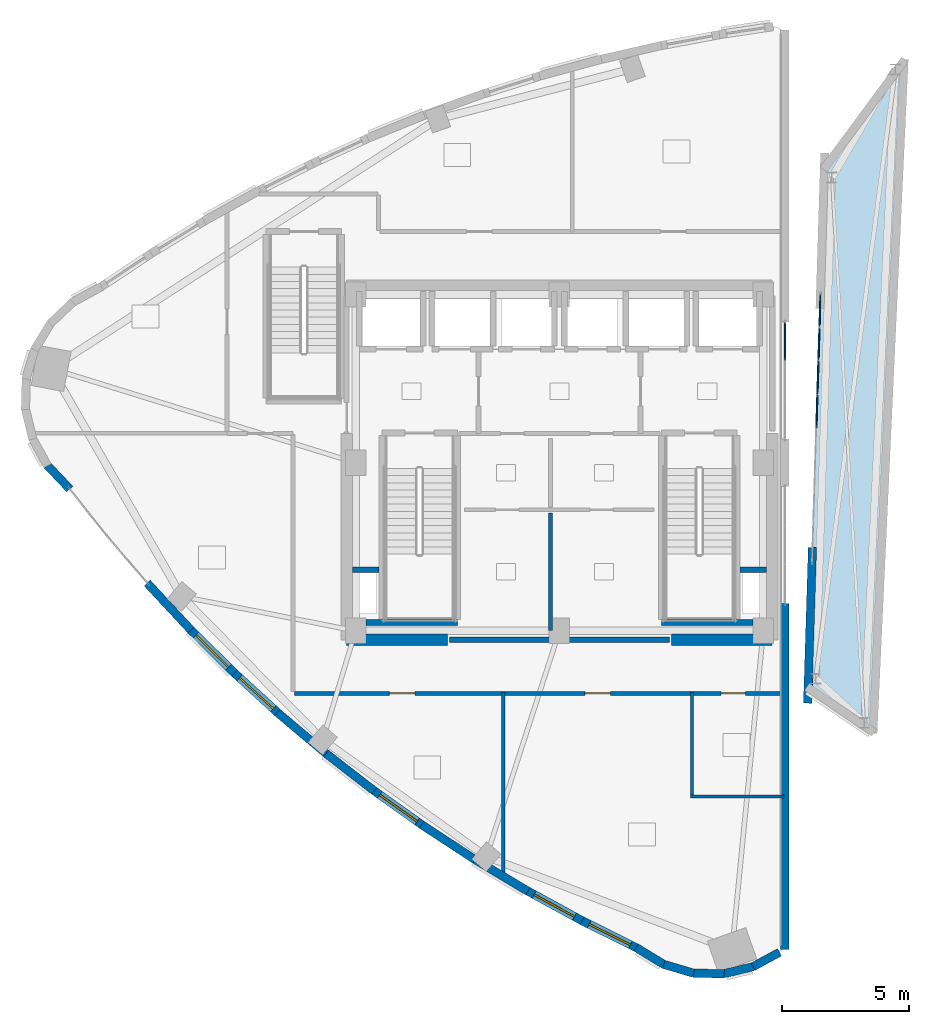
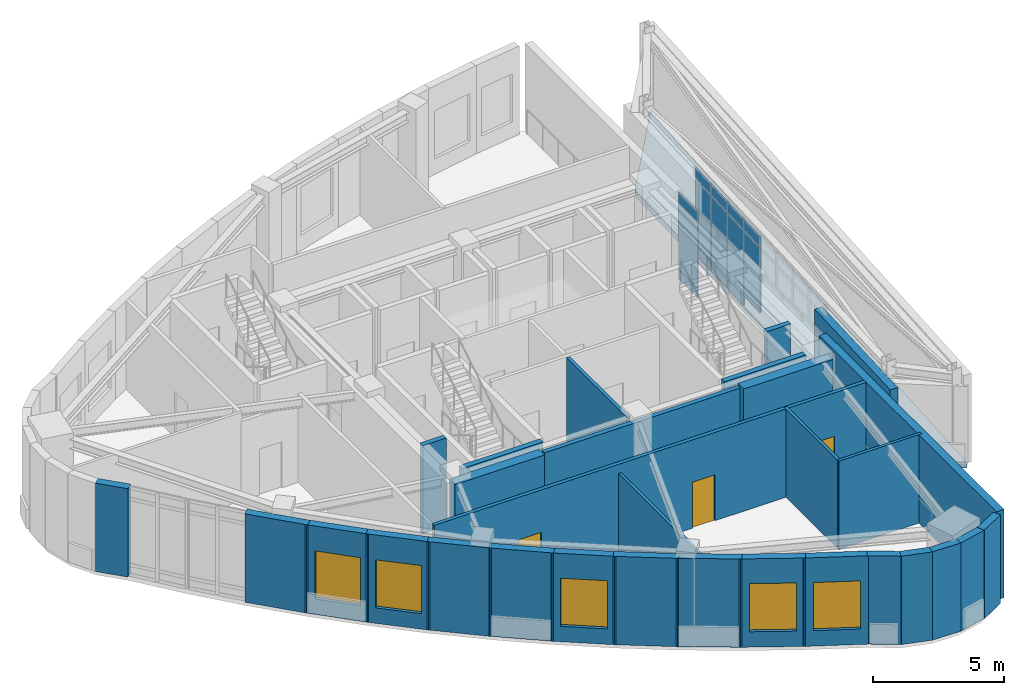
# One storey, part 13 of 19: 30 walls, 14 plates, 5 windows, 3 doors, 1 slab, 8 openings, 2 elements without a shape of their own.
"""IFC4 building model written with IfcOpenShell, lengths in metres."""

from ifc_helpers import new_model, si_unit, direction, frame, frame_2d, origin, origin_2d, place, context, subcontext, project, spatial, polyline, rectangle, outline, extrude, material, layer, layer_set, type_object, element, fill, aggregate, save


model = new_model("IFC4")

# Units and contexts
model_context = context("Model", 3, precision=1e-05, world=origin(), true_north=direction((0.0, 1.0)))
body_context = subcontext(model_context, "Body", "Model", "MODEL_VIEW")
ifc_project = project(units=[si_unit("LENGTHUNIT", "METRE"), si_unit("AREAUNIT", "SQUARE_METRE"), si_unit("VOLUMEUNIT", "CUBIC_METRE"), si_unit("PLANEANGLEUNIT", "RADIAN"), si_unit("MASSUNIT", "GRAM", prefix="KILO")], contexts=[model_context])

# Site, building, storey
site_placement = place(None, origin())
site = spatial("IfcSite", under=ifc_project, at=site_placement, CompositionType="ELEMENT")
building_placement = place(site_placement, origin())
building = spatial("IfcBuilding", under=site, at=building_placement, Name="Ndelora Gate Hotel", CompositionType="ELEMENT")
storey_placement = place(building_placement, frame((0.0, 0.0, 286.0)))
storey = spatial("IfcBuildingStorey", under=building, at=storey_placement, Name="L71", CompositionType="ELEMENT", Elevation=286.0)

# Curtain wall, plates
ifc_material_1 = material(Name="Bronze Anodised Unitised Aluminium and Low-E Glass", Category="aluminium")
ifc_layer_1 = layer(ifc_material_1, 0.199951171875)
ifc_layer_set_1 = layer_set([ifc_layer_1], Name="Bronze Anodised Unitised Aluminium and Low-E Glass")
curtain_wall_type = type_object("IfcCurtainWallType", Name="CW-SYS-8", PredefinedType="NOTDEFINED", material=ifc_layer_set_1)
curtain_wall_1_placement = place(storey_placement, origin())
curtain_wall_1 = element("IfcCurtainWall", 1, at=curtain_wall_1_placement, inside=storey, type_object=curtain_wall_type, Name="L71 Split-Crown West Cleft Lantern Curtain Wall CW8-2", PredefinedType="NOTDEFINED")
ifc_material_2 = material(Name="Solar-Control Low-E Insulated Glazing", Category="glass")
ifc_layer_2 = layer(ifc_material_2, 0.048095703125)
ifc_layer_set_2 = layer_set([ifc_layer_2], Name="Solar-Control Low-E Insulated Glazing")
plate_type = type_object("IfcPlateType", Name="PL-CW-GLZ36", PredefinedType="CURTAIN_PANEL", material=ifc_layer_set_2)
plate_1_placement = place(storey_placement, frame((8.85009765625, 4.760009765625, 0.0537109375), z_axis=(0.0, 0.0, 1.0), x_axis=(0.0, 1.0, 0.0)))
plate_1 = element("IfcPlate", 2, at=plate_1_placement, type_object=plate_type, Name="CW8 panel 3.1", PredefinedType="CURTAIN_PANEL", context=body_context, shape_type="SweptSolid", body=[
    extrude(rectangle(XDim=1.471923828125, YDim=0.048095703125, at=origin_2d()), origin(), (0.0, 0.0, 1.0), 0.422119140625),
])
plate_2_placement = place(storey_placement, frame((8.85009765625, 4.760009765625, 0.52392578125), z_axis=(0.0, 0.0, 1.0), x_axis=(0.0, 1.0, 0.0)))
plate_2 = element("IfcPlate", 3, at=plate_2_placement, type_object=plate_type, Name="CW8 panel 3.2", PredefinedType="CURTAIN_PANEL", context=body_context, shape_type="SweptSolid", body=[
    extrude(rectangle(XDim=1.471923828125, YDim=0.048095703125, at=origin_2d()), origin(), (0.0, 0.0, 1.0), 3.031982421875),
])
plate_3_placement = place(storey_placement, frame((8.85009765625, 4.760009765625, 3.60400390625), z_axis=(0.0, 0.0, 1.0), x_axis=(0.0, 1.0, 0.0)))
plate_3 = element("IfcPlate", 4, at=plate_3_placement, type_object=plate_type, Name="CW8 panel 3.3", PredefinedType="CURTAIN_PANEL", context=body_context, shape_type="SweptSolid", body=[
    extrude(rectangle(XDim=1.471923828125, YDim=0.048095703125, at=origin_2d()), origin(), (0.0, 0.0, 1.0), 0.471923828125),
])
aggregate(curtain_wall_1, [plate_1, plate_2, plate_3])

curtain_wall_2_placement = place(storey_placement, origin())
curtain_wall_2 = element("IfcCurtainWall", 5, at=curtain_wall_2_placement, inside=storey, type_object=curtain_wall_type, Name="L71 Split-Crown East Cleft Lantern Curtain Wall CW8", PredefinedType="NOTDEFINED")
plate_4_placement = place(storey_placement, frame((10.21875, 5.97509765625, 0.0537109375), z_axis=(0.0, 0.0, 1.0), x_axis=(-0.031131345484, -0.999515302198, 0.0)))
plate_4 = element("IfcPlate", 6, at=plate_4_placement, type_object=plate_type, Name="CW8 panel 1.1", PredefinedType="CURTAIN_PANEL", context=body_context, shape_type="SweptSolid", body=[
    extrude(rectangle(XDim=1.24658203125, YDim=0.048095703125, at=origin_2d()), origin(), (0.0, 0.0, 1.0), 0.422119140625),
])
plate_5_placement = place(storey_placement, frame((10.21875, 5.97509765625, 0.52392578125), z_axis=(0.0, 0.0, 1.0), x_axis=(-0.031131345484, -0.999515302198, 0.0)))
plate_5 = element("IfcPlate", 7, at=plate_5_placement, type_object=plate_type, Name="CW8 panel 1.2", PredefinedType="CURTAIN_PANEL", context=body_context, shape_type="SweptSolid", body=[
    extrude(rectangle(XDim=1.24658203125, YDim=0.048095703125, at=origin_2d()), origin(), (0.0, 0.0, 1.0), 3.031982421875),
])
plate_6_placement = place(storey_placement, frame((10.21875, 5.97509765625, 3.60400390625), z_axis=(0.0, 0.0, 1.0), x_axis=(-0.031131345484, -0.999515302198, 0.0)))
plate_6 = element("IfcPlate", 8, at=plate_6_placement, type_object=plate_type, Name="CW8 panel 1.3", PredefinedType="CURTAIN_PANEL", context=body_context, shape_type="SweptSolid", body=[
    extrude(rectangle(XDim=1.24658203125, YDim=0.048095703125, at=origin_2d()), origin(), (0.0, 0.0, 1.0), 0.471923828125),
])
plate_7_placement = place(storey_placement, frame((10.177978515625, 4.666259765625, 0.0537109375), z_axis=(0.0, 0.0, 1.0), x_axis=(-0.031131345484, -0.999515302198, 0.0)))
plate_7 = element("IfcPlate", 9, at=plate_7_placement, type_object=plate_type, Name="CW8 panel 2.1", PredefinedType="CURTAIN_PANEL", context=body_context, shape_type="SweptSolid", body=[
    extrude(rectangle(XDim=1.276611328125, YDim=0.048095703125, at=origin_2d()), origin(), (0.0, 0.0, 1.0), 0.422119140625),
])
plate_8_placement = place(storey_placement, frame((10.177978515625, 4.666259765625, 0.52392578125), z_axis=(0.0, 0.0, 1.0), x_axis=(-0.031131345484, -0.999515302198, 0.0)))
plate_8 = element("IfcPlate", 10, at=plate_8_placement, type_object=plate_type, Name="CW8 panel 2.2", PredefinedType="CURTAIN_PANEL", context=body_context, shape_type="SweptSolid", body=[
    extrude(rectangle(XDim=1.276611328125, YDim=0.048095703125, at=origin_2d()), origin(), (0.0, 0.0, 1.0), 3.031982421875),
])
plate_9_placement = place(storey_placement, frame((10.177978515625, 4.666259765625, 3.60400390625), z_axis=(0.0, 0.0, 1.0), x_axis=(-0.031131345484, -0.999515302198, 0.0)))
plate_9 = element("IfcPlate", 11, at=plate_9_placement, type_object=plate_type, Name="CW8 panel 2.3", PredefinedType="CURTAIN_PANEL", context=body_context, shape_type="SweptSolid", body=[
    extrude(rectangle(XDim=1.276611328125, YDim=0.048095703125, at=origin_2d()), origin(), (0.0, 0.0, 1.0), 0.471923828125),
])
plate_10_placement = place(storey_placement, frame((10.13671875, 3.34228515625, 0.0537109375), z_axis=(0.0, 0.0, 1.0), x_axis=(-0.031131345484, -0.999515302198, 0.0)))
plate_10 = element("IfcPlate", 12, at=plate_10_placement, type_object=plate_type, Name="CW8 panel 3.1", PredefinedType="CURTAIN_PANEL", context=body_context, shape_type="SweptSolid", body=[
    extrude(rectangle(XDim=1.276611328125, YDim=0.048095703125, at=origin_2d()), origin(), (0.0, 0.0, 1.0), 0.422119140625),
])
plate_11_placement = place(storey_placement, frame((10.13671875, 3.34228515625, 0.52392578125), z_axis=(0.0, 0.0, 1.0), x_axis=(-0.031131345484, -0.999515302198, 0.0)))
plate_11 = element("IfcPlate", 13, at=plate_11_placement, type_object=plate_type, Name="CW8 panel 3.2", PredefinedType="CURTAIN_PANEL", context=body_context, shape_type="SweptSolid", body=[
    extrude(rectangle(XDim=1.276611328125, YDim=0.048095703125, at=origin_2d()), origin(), (0.0, 0.0, 1.0), 3.031982421875),
])
plate_12_placement = place(storey_placement, frame((10.13671875, 3.34228515625, 3.60400390625), z_axis=(0.0, 0.0, 1.0), x_axis=(-0.031131345484, -0.999515302198, 0.0)))
plate_12 = element("IfcPlate", 14, at=plate_12_placement, type_object=plate_type, Name="CW8 panel 3.3", PredefinedType="CURTAIN_PANEL", context=body_context, shape_type="SweptSolid", body=[
    extrude(rectangle(XDim=1.276611328125, YDim=0.048095703125, at=origin_2d()), origin(), (0.0, 0.0, 1.0), 0.471923828125),
])
plate_13_placement = place(storey_placement, frame((10.095458984375, 2.018310546875, 0.52392578125), z_axis=(0.0, 0.0, 1.0), x_axis=(-0.031131345484, -0.999515302198, 0.0)))
plate_13 = element("IfcPlate", 15, at=plate_13_placement, type_object=plate_type, Name="CW8 panel 4.2", PredefinedType="CURTAIN_PANEL", context=body_context, shape_type="SweptSolid", body=[
    extrude(rectangle(XDim=1.276611328125, YDim=0.048095703125, at=origin_2d()), origin(), (0.0, 0.0, 1.0), 3.031982421875),
])
plate_14_placement = place(storey_placement, frame((10.095458984375, 2.018310546875, 3.60400390625), z_axis=(0.0, 0.0, 1.0), x_axis=(-0.031131345484, -0.999515302198, 0.0)))
plate_14 = element("IfcPlate", 16, at=plate_14_placement, type_object=plate_type, Name="CW8 panel 4.3", PredefinedType="CURTAIN_PANEL", context=body_context, shape_type="SweptSolid", body=[
    extrude(rectangle(XDim=1.276611328125, YDim=0.048095703125, at=origin_2d()), origin(), (0.0, 0.0, 1.0), 0.471923828125),
])
aggregate(curtain_wall_2, [plate_4, plate_5, plate_6, plate_7, plate_8, plate_9, plate_10, plate_11, plate_12, plate_13, plate_14])

# Slab
ifc_material_3 = material(Name="Concrete C40/50", Category="concrete")
ifc_layer_3 = layer(ifc_material_3, 0.280029296875)
ifc_layer_set_3 = layer_set([ifc_layer_3], Name="Concrete C40/50")
slab_type = type_object("IfcSlabType", Name="SL-ROOF-280", PredefinedType="ROOF", material=ifc_layer_set_3)
slab_placement = place(storey_placement, frame((0.0, 0.0, -0.280029296875)))
element("IfcSlab", 17, at=slab_placement, inside=storey, type_object=slab_type, Name="L71 East Crown Peak Deck", PredefinedType="ROOF", context=body_context, shape_type="SweptSolid", body=[
    extrude(outline(polyline([(9.757568359375, -8.828369140625), (12.306884765625, -10.562255859375), (13.527099609375, 15.7783203125), (10.39208984375, 11.540771484375), (9.757568359375, -8.828369140625)])), origin(), (0.0, 0.0, 1.0), 0.280029296875),
])

# Walls
ifc_material_4 = material(Name="Clay Brick Masonry", Category="masonry")
ifc_layer_4 = layer(ifc_material_4, 0.330078125)
ifc_layer_set_4 = layer_set([ifc_layer_4], Name="Clay Brick Masonry")
wall_type_1 = type_object("IfcWallType", Name="WL-BRICK-330", PredefinedType="SOLIDWALL", material=ifc_layer_set_4)
wall_1_placement = place(storey_placement, frame((8.85009765625, -5.52001953125, 0.0), z_axis=(0.0, 0.0, 1.0), x_axis=(0.0, -1.0, 0.0)))
element("IfcWall", 18, at=wall_1_placement, inside=storey, type_object=wall_type_1, Name="L71 West Crown Canyon Brick Pier 1", PredefinedType="SOLIDWALL", context=body_context, shape_type="SweptSolid", body=[
    extrude(rectangle(XDim=13.590576171875, YDim=0.330078125, at=frame_2d((6.79541015625, 0.0))), origin(), (0.0, 0.0, 1.0), 4.1298828125),
])
wall_2_placement = place(storey_placement, frame((9.738525390625, -9.439453125, 0.0), z_axis=(0.0, 0.0, 1.0), x_axis=(0.031147484759, 0.999514799387, 0.0)))
element("IfcWall", 19, at=wall_2_placement, inside=storey, type_object=wall_type_1, Name="L71 East Crown Canyon Brick Pier 1", PredefinedType="SOLIDWALL", context=body_context, shape_type="SweptSolid", body=[
    extrude(rectangle(XDim=6.11376953125, YDim=0.330078125, at=frame_2d((3.056884765625, 0.0))), origin(), (0.0, 0.0, 1.0), 3.64990234375),
])
wall_3_placement = place(storey_placement, frame((-19.214599609375, -1.038818359375, 0.0), z_axis=(0.0, 0.0, 1.0), x_axis=(-0.687489239636, 0.726194564414, 0.0)))
element("IfcWall", 20, at=wall_3_placement, inside=storey, type_object=wall_type_1, Name="L71 Tower Brick Pier-and-Spandrel Wall WPK-15", PredefinedType="SOLIDWALL", context=body_context, shape_type="SweptSolid", body=[
    extrude(rectangle(XDim=1.29931640625, YDim=0.330078125, at=frame_2d((0.649658203125, 0.0))), origin(), (0.0, 0.0, 1.0), 4.1298828125),
])
wall_4_placement = place(storey_placement, frame((-14.4619140625, -6.572021484375, 0.0), z_axis=(0.0, 0.0, 1.0), x_axis=(-0.681100323402, 0.732190104728, 0.0)))
element("IfcWall", 21, at=wall_4_placement, inside=storey, type_object=wall_type_1, Name="L71 Tower Brick Pier-and-Spandrel Wall WPK-18", PredefinedType="SOLIDWALL", context=body_context, shape_type="SweptSolid", body=[
    extrude(rectangle(XDim=2.523193359375, YDim=0.330078125, at=frame_2d((1.26171875, 0.0))), origin(), (0.0, 0.0, 1.0), 4.1298828125),
])

# Wall, opening, window
wall_5_placement = place(storey_placement, frame((-12.755859375, -8.26171875, 0.0), z_axis=(0.0, 0.0, 1.0), x_axis=(-0.709823779942, 0.704379302243, 0.0)))
wall_5 = element("IfcWall", 22, at=wall_5_placement, inside=storey, type_object=wall_type_1, Name="L71 Tower Brick Pier-and-Spandrel Wall WPK-19", PredefinedType="SOLIDWALL", context=body_context, shape_type="SweptSolid", body=[
    extrude(rectangle(XDim=2.51123046875, YDim=0.330078125, at=frame_2d((1.255615234375, 0.0))), origin(), (0.0, 0.0, 1.0), 4.1298828125),
])
opening_1_placement = place(wall_5_placement, frame((0.32568359375, 0.0, 0.719970703125)))
opening_1 = element("IfcOpeningElement", 23, at=opening_1_placement, cuts=wall_5, Name="Opening W06", PredefinedType="OPENING", context=body_context, shape_type="SweptSolid", body=[
    extrude(rectangle(XDim=1.800048828125, YDim=2.25, at=frame_2d((0.89990234375, 1.125))), frame((0.0, 0.175048828125, 0.0), z_axis=(0.0, -1.0, 0.0), x_axis=(1.0, 0.0, 0.0)), (0.0, 0.0, 1.0), 0.35009765625),
])
ifc_material_5 = material(Name="Insulated Low-E Double Glazing in Bronze Aluminium Frame", Category="aluminium")
window_type = type_object("IfcWindowType", Name="WN-OBS-1800", PartitioningType="SINGLE_PANEL", PredefinedType="WINDOW", material=ifc_material_5)
window_1_placement = place(opening_1_placement, origin())
window_1 = element("IfcWindow", 24, at=window_1_placement, inside=storey, type_object=window_type, Name="L71 Deep-Set Brick-Pier Window W06", OverallHeight=2.25, OverallWidth=1.800048828125, PartitioningType="SINGLE_PANEL", PredefinedType="WINDOW", context=body_context, shape_type="SweptSolid", body=[
    extrude(rectangle(XDim=1.800048828125, YDim=2.25, at=frame_2d((0.89990234375, 1.125))), frame((0.0, 0.030029296875, 0.0), z_axis=(0.0, -1.0, 0.0), x_axis=(1.0, 0.0, 0.0)), (0.0, 0.0, 1.0), 0.06005859375),
])
fill(opening_1, window_1)

wall_6_placement = place(storey_placement, frame((-10.989013671875, -9.876220703125, 0.0), z_axis=(0.0, 0.0, 1.0), x_axis=(-0.737627628948, 0.675207731748, 0.0)))
wall_6 = element("IfcWall", 25, at=wall_6_placement, inside=storey, type_object=wall_type_1, Name="L71 Tower Brick Pier-and-Spandrel Wall WPK-20", PredefinedType="SOLIDWALL", context=body_context, shape_type="SweptSolid", body=[
    extrude(rectangle(XDim=2.503173828125, YDim=0.330078125, at=frame_2d((1.25146484375, 0.0))), origin(), (0.0, 0.0, 1.0), 4.1298828125),
])
opening_2_placement = place(wall_6_placement, frame((0.321533203125, 0.0, 0.719970703125)))
opening_2 = element("IfcOpeningElement", 26, at=opening_2_placement, cuts=wall_6, Name="Opening W06", PredefinedType="OPENING", context=body_context, shape_type="SweptSolid", body=[
    extrude(rectangle(XDim=1.800048828125, YDim=2.25, at=frame_2d((0.89990234375, 1.125))), frame((0.0, 0.175048828125, 0.0), z_axis=(0.0, -1.0, 0.0), x_axis=(1.0, 0.0, 0.0)), (0.0, 0.0, 1.0), 0.35009765625),
])
window_2_placement = place(opening_2_placement, origin())
window_2 = element("IfcWindow", 27, at=window_2_placement, inside=storey, type_object=window_type, Name="L71 Deep-Set Brick-Pier Window W06", OverallHeight=2.25, OverallWidth=1.800048828125, PartitioningType="SINGLE_PANEL", PredefinedType="WINDOW", context=body_context, shape_type="SweptSolid", body=[
    extrude(rectangle(XDim=1.800048828125, YDim=2.25, at=frame_2d((0.89990234375, 1.125))), frame((0.0, 0.030029296875, 0.0), z_axis=(0.0, -1.0, 0.0), x_axis=(1.0, 0.0, 0.0)), (0.0, 0.0, 1.0), 0.06005859375),
])
fill(opening_2, window_2)

# Walls
wall_7_placement = place(storey_placement, frame((-9.161376953125, -11.415283203125, 0.0), z_axis=(0.0, 0.0, 1.0), x_axis=(-0.764315556833, 0.644842406781, 0.0)))
element("IfcWall", 28, at=wall_7_placement, inside=storey, type_object=wall_type_1, Name="L71 Tower Brick Pier-and-Spandrel Wall WPK-21", PredefinedType="SOLIDWALL", context=body_context, shape_type="SweptSolid", body=[
    extrude(rectangle(XDim=2.499267578125, YDim=0.330078125, at=frame_2d((1.24951171875, 0.0))), origin(), (0.0, 0.0, 1.0), 4.1298828125),
])
wall_8_placement = place(storey_placement, frame((-7.27294921875, -12.87890625, 0.0), z_axis=(0.0, 0.0, 1.0), x_axis=(-0.789841179094, 0.613311431336, 0.0)))
element("IfcWall", 29, at=wall_8_placement, inside=storey, type_object=wall_type_1, Name="L71 Tower Brick Pier-and-Spandrel Wall WPK-22", PredefinedType="SOLIDWALL", context=body_context, shape_type="SweptSolid", body=[
    extrude(rectangle(XDim=2.4990234375, YDim=0.330078125, at=frame_2d((1.24951171875, 0.0))), origin(), (0.0, 0.0, 1.0), 4.1298828125),
])

# Wall, opening, window
wall_9_placement = place(storey_placement, frame((-5.323486328125, -14.26708984375, 0.0), z_axis=(0.0, 0.0, 1.0), x_axis=(-0.814029925436, 0.580822933857, 0.0)))
wall_9 = element("IfcWall", 30, at=wall_9_placement, inside=storey, type_object=wall_type_1, Name="L71 Tower Brick Pier-and-Spandrel Wall WPK-23", PredefinedType="SOLIDWALL", context=body_context, shape_type="SweptSolid", body=[
    extrude(rectangle(XDim=2.503173828125, YDim=0.330078125, at=frame_2d((1.25146484375, 0.0))), origin(), (0.0, 0.0, 1.0), 4.1298828125),
])
opening_3_placement = place(wall_9_placement, frame((0.321533203125, 0.0, 0.719970703125)))
opening_3 = element("IfcOpeningElement", 31, at=opening_3_placement, cuts=wall_9, Name="Opening W06", PredefinedType="OPENING", context=body_context, shape_type="SweptSolid", body=[
    extrude(rectangle(XDim=1.800048828125, YDim=2.25, at=frame_2d((0.89990234375, 1.125))), frame((0.0, 0.175048828125, 0.0), z_axis=(0.0, -1.0, 0.0), x_axis=(1.0, 0.0, 0.0)), (0.0, 0.0, 1.0), 0.35009765625),
])
window_3_placement = place(opening_3_placement, origin())
window_3 = element("IfcWindow", 32, at=window_3_placement, inside=storey, type_object=window_type, Name="L71 Deep-Set Brick-Pier Window W06", OverallHeight=2.25, OverallWidth=1.800048828125, PartitioningType="SINGLE_PANEL", PredefinedType="WINDOW", context=body_context, shape_type="SweptSolid", body=[
    extrude(rectangle(XDim=1.800048828125, YDim=2.25, at=frame_2d((0.89990234375, 1.125))), frame((0.0, 0.030029296875, 0.0), z_axis=(0.0, -1.0, 0.0), x_axis=(1.0, 0.0, 0.0)), (0.0, 0.0, 1.0), 0.06005859375),
])
fill(opening_3, window_3)

# Walls
wall_10_placement = place(storey_placement, frame((-3.313232421875, -15.580078125, 0.0), z_axis=(0.0, 0.0, 1.0), x_axis=(-0.836746876737, 0.547589868671, 0.0)))
element("IfcWall", 33, at=wall_10_placement, inside=storey, type_object=wall_type_1, Name="L71 Tower Brick Pier-and-Spandrel Wall WPK-24", PredefinedType="SOLIDWALL", context=body_context, shape_type="SweptSolid", body=[
    extrude(rectangle(XDim=2.510986328125, YDim=0.330078125, at=frame_2d((1.25537109375, 0.0))), origin(), (0.0, 0.0, 1.0), 4.1298828125),
])
wall_11_placement = place(storey_placement, frame((-1.241943359375, -16.818115234375, 0.0), z_axis=(0.0, 0.0, 1.0), x_axis=(-0.857902474262, 0.513812557899, 0.0)))
element("IfcWall", 34, at=wall_11_placement, inside=storey, type_object=wall_type_1, Name="L71 Tower Brick Pier-and-Spandrel Wall WPK-25", PredefinedType="SOLIDWALL", context=body_context, shape_type="SweptSolid", body=[
    extrude(rectangle(XDim=2.523193359375, YDim=0.330078125, at=frame_2d((1.26171875, 0.0))), origin(), (0.0, 0.0, 1.0), 4.1298828125),
])

# Wall, opening, window
wall_12_placement = place(storey_placement, frame((0.890380859375, -17.98046875, 0.0), z_axis=(0.0, 0.0, 1.0), x_axis=(-0.877542510611, 0.479498844702, 0.0)))
wall_12 = element("IfcWall", 35, at=wall_12_placement, inside=storey, type_object=wall_type_1, Name="L71 Tower Brick Pier-and-Spandrel Wall WPK-26", PredefinedType="SOLIDWALL", context=body_context, shape_type="SweptSolid", body=[
    extrude(rectangle(XDim=2.53857421875, YDim=0.330078125, at=frame_2d((1.269287109375, 0.0))), origin(), (0.0, 0.0, 1.0), 4.1298828125),
])
opening_4_placement = place(wall_12_placement, frame((0.33935546875, 0.0, 0.719970703125)))
opening_4 = element("IfcOpeningElement", 36, at=opening_4_placement, cuts=wall_12, Name="Opening W06", PredefinedType="OPENING", context=body_context, shape_type="SweptSolid", body=[
    extrude(rectangle(XDim=1.800048828125, YDim=2.25, at=frame_2d((0.89990234375, 1.125))), frame((0.0, 0.175048828125, 0.0), z_axis=(0.0, -1.0, 0.0), x_axis=(1.0, 0.0, 0.0)), (0.0, 0.0, 1.0), 0.35009765625),
])
window_4_placement = place(opening_4_placement, origin())
window_4 = element("IfcWindow", 37, at=window_4_placement, inside=storey, type_object=window_type, Name="L71 Deep-Set Brick-Pier Window W06", OverallHeight=2.25, OverallWidth=1.800048828125, PartitioningType="SINGLE_PANEL", PredefinedType="WINDOW", context=body_context, shape_type="SweptSolid", body=[
    extrude(rectangle(XDim=1.800048828125, YDim=2.25, at=frame_2d((0.89990234375, 1.125))), frame((0.0, 0.030029296875, 0.0), z_axis=(0.0, -1.0, 0.0), x_axis=(1.0, 0.0, 0.0)), (0.0, 0.0, 1.0), 0.06005859375),
])
fill(opening_4, window_4)

wall_13_placement = place(storey_placement, frame((3.100830078125, -19.078125, 0.0), z_axis=(0.0, 0.0, 1.0), x_axis=(-0.895277941462, 0.445508033073, 0.0)))
wall_13 = element("IfcWall", 38, at=wall_13_placement, inside=storey, type_object=wall_type_1, Name="L71 Tower Brick Pier-and-Spandrel Wall WPK-27", PredefinedType="SOLIDWALL", context=body_context, shape_type="SweptSolid", body=[
    extrude(rectangle(XDim=2.577880859375, YDim=0.330078125, at=frame_2d((1.2890625, 0.0))), origin(), (0.0, 0.0, 1.0), 4.1298828125),
])
opening_5_placement = place(wall_13_placement, frame((0.35888671875, 0.0, 0.719970703125)))
opening_5 = element("IfcOpeningElement", 39, at=opening_5_placement, cuts=wall_13, Name="Opening W06", PredefinedType="OPENING", context=body_context, shape_type="SweptSolid", body=[
    extrude(rectangle(XDim=1.800048828125, YDim=2.25, at=frame_2d((0.89990234375, 1.125))), frame((0.0, 0.175048828125, 0.0), z_axis=(0.0, -1.0, 0.0), x_axis=(1.0, 0.0, 0.0)), (0.0, 0.0, 1.0), 0.35009765625),
])
window_5_placement = place(opening_5_placement, origin())
window_5 = element("IfcWindow", 40, at=window_5_placement, inside=storey, type_object=window_type, Name="L71 Deep-Set Brick-Pier Window W06", OverallHeight=2.25, OverallWidth=1.800048828125, PartitioningType="SINGLE_PANEL", PredefinedType="WINDOW", context=body_context, shape_type="SweptSolid", body=[
    extrude(rectangle(XDim=1.800048828125, YDim=2.25, at=frame_2d((0.89990234375, 1.125))), frame((0.0, 0.030029296875, 0.0), z_axis=(0.0, -1.0, 0.0), x_axis=(1.0, 0.0, 0.0)), (0.0, 0.0, 1.0), 0.06005859375),
])
fill(opening_5, window_5)

# Walls
wall_14_placement = place(storey_placement, frame((4.121826171875, -19.70751953125, 0.0), z_axis=(0.0, 0.0, 1.0), x_axis=(-0.853318707867, 0.521389665034, 0.0)))
element("IfcWall", 41, at=wall_14_placement, inside=storey, type_object=wall_type_1, Name="L71 Tower Brick Pier-and-Spandrel Wall WPK-28", PredefinedType="SOLIDWALL", context=body_context, shape_type="SweptSolid", body=[
    extrude(rectangle(XDim=1.309326171875, YDim=0.330078125, at=frame_2d((0.65478515625, 0.0))), origin(), (0.0, 0.0, 1.0), 4.1298828125),
])
for number, where, z_axis, x_axis, name in (
    (42, (5.27099609375, -20.038330078125, 0.0), (0.0, 0.0, 1.0), (-0.959229011415, 0.282629976578, 0.0), "L71 Tower Brick Pier-and-Spandrel Wall WPK-30"),
    (43, (6.466552734375, -20.060546875, 0.0), (0.0, 0.0, 1.0), (-0.999694943543, 0.024698579996, 0.0), "L71 Tower Brick Pier-and-Spandrel Wall WPK-32"),
):
    element("IfcWall", number, at=place(storey_placement, frame(where, z_axis=z_axis, x_axis=x_axis)), inside=storey, type_object=wall_type_1, Name=name, PredefinedType="SOLIDWALL", context=body_context, shape_type="SweptSolid", body=[
        extrude(rectangle(XDim=1.225830078125, YDim=0.330078125, at=frame_2d((0.61279296875, 0.0))), origin(), (0.0, 0.0, 1.0), 4.1298828125),
    ])
wall_15_placement = place(storey_placement, frame((7.62744140625, -19.7724609375, 0.0), z_axis=(0.0, 0.0, 1.0), x_axis=(-0.97199913572, -0.234984425353, 0.0)))
element("IfcWall", 44, at=wall_15_placement, inside=storey, type_object=wall_type_1, Name="L71 Tower Brick Pier-and-Spandrel Wall WPK-34", PredefinedType="SOLIDWALL", context=body_context, shape_type="SweptSolid", body=[
    extrude(rectangle(XDim=1.22607421875, YDim=0.330078125, at=frame_2d((0.613037109375, 0.0))), origin(), (0.0, 0.0, 1.0), 4.1298828125),
])
wall_16_placement = place(storey_placement, frame((8.640380859375, -19.214111328125, 0.0), z_axis=(0.0, 0.0, 1.0), x_axis=(-0.878860825238, -0.477078242914, 0.0)))
element("IfcWall", 45, at=wall_16_placement, inside=storey, type_object=wall_type_1, Name="L71 Tower Brick Pier-and-Spandrel Wall WPK-36", PredefinedType="SOLIDWALL", context=body_context, shape_type="SweptSolid", body=[
    extrude(rectangle(XDim=1.186767578125, YDim=0.330078125, at=frame_2d((0.59326171875, 0.0))), origin(), (0.0, 0.0, 1.0), 4.1298828125),
])
ifc_material_6 = material(Name="Concrete C50/60", Category="concrete")
ifc_layer_5 = layer(ifc_material_6, 0.449951171875)
ifc_layer_set_5 = layer_set([ifc_layer_5], Name="Concrete C50/60")
wall_type_2 = type_object("IfcWallType", Name="WL-CORE-450", PredefinedType="SHEAR", material=ifc_layer_set_5)
for number, where, z_axis, x_axis, name in (
    (46, (-8.35009765625, -6.949951171875, 0.0), (0.0, 0.0, 1.0), (1.0, 0.0, 0.0), "L71 Core Shear Wall S-W"),
    (47, (4.39990234375, -6.949951171875, 0.0), (0.0, 0.0, 1.0), (1.0, 0.0, 0.0), "L71 Core Shear Wall S-E"),
):
    element("IfcWall", number, at=place(storey_placement, frame(where, z_axis=z_axis, x_axis=x_axis)), inside=storey, type_object=wall_type_2, Name=name, PredefinedType="SHEAR", context=body_context, shape_type="SweptSolid", body=[
        extrude(rectangle(XDim=3.9501953125, YDim=0.449951171875, at=frame_2d((1.97509765625, 0.0))), origin(), (0.0, 0.0, 1.0), 4.1298828125),
    ])
ifc_layer_6 = layer(ifc_material_3, 0.199951171875)
ifc_layer_set_6 = layer_set([ifc_layer_6], Name="Concrete C40/50")
wall_type_3 = type_object("IfcWallType", Name="WL-FIRE-200", PredefinedType="PARTITIONING", material=ifc_layer_set_6)
wall_17_placement = place(storey_placement, frame((-4.320068359375, -6.949951171875, 0.0), z_axis=(0.0, 0.0, 1.0), x_axis=(1.0, 0.0, 0.0)))
element("IfcWall", 48, at=wall_17_placement, inside=storey, type_object=wall_type_3, Name="L71 Interior Wall IW-2", PredefinedType="PARTITIONING", context=body_context, shape_type="SweptSolid", body=[
    extrude(rectangle(XDim=8.64013671875, YDim=0.199951171875, at=frame_2d((4.320068359375, 0.0))), origin(), (0.0, 0.0, 1.0), 4.1298828125),
])
ifc_material_7 = material(Name="Fire-Rated Gypsum Stud Partition", Category="gypsum")
ifc_layer_7 = layer(ifc_material_7, 0.14990234375)
ifc_layer_set_7 = layer_set([ifc_layer_7], Name="Fire-Rated Gypsum Stud Partition")
wall_type_4 = type_object("IfcWallType", Name="WL-PART-150", PredefinedType="PARTITIONING", material=ifc_layer_set_7)
wall_18_placement = place(storey_placement, frame((-0.35009765625, -6.580078125, 0.0), z_axis=(0.0, 0.0, 1.0), x_axis=(0.0, 1.0, 0.0)))
element("IfcWall", 49, at=wall_18_placement, inside=storey, type_object=wall_type_4, Name="L71 Interior Wall IW-5", PredefinedType="PARTITIONING", context=body_context, shape_type="SweptSolid", body=[
    extrude(rectangle(XDim=4.610107421875, YDim=0.14990234375, at=frame_2d((2.30517578125, 0.0))), origin(), (0.0, 0.0, 1.0), 4.1298828125),
])

# Wall, openings, doors
ifc_layer_8 = layer(ifc_material_7, 0.159912109375)
ifc_layer_set_8 = layer_set([ifc_layer_8], Name="Fire-Rated Gypsum Stud Partition")
wall_type_5 = type_object("IfcWallType", Name="WL-PART-160", PredefinedType="PARTITIONING", material=ifc_layer_set_8)
wall_19_placement = place(storey_placement, frame((-10.39990234375, -9.050048828125, 0.0), z_axis=(0.0, 0.0, 1.0), x_axis=(1.0, 0.0, 0.0)))
wall_19 = element("IfcWall", 50, at=wall_19_placement, inside=storey, type_object=wall_type_5, Name="L71 Interior Wall IW-4", PredefinedType="PARTITIONING", context=body_context, shape_type="SweptSolid", body=[
    extrude(rectangle(XDim=19.099853515625, YDim=0.159912109375, at=frame_2d((9.5498046875, 0.0))), origin(), (0.0, 0.0, 1.0), 4.1298828125),
])
opening_6_placement = place(wall_19_placement, frame((3.72998046875, 0.0, 0.0)))
opening_6 = element("IfcOpeningElement", 51, at=opening_6_placement, cuts=wall_19, Name="Opening D01", PredefinedType="OPENING", context=body_context, shape_type="SweptSolid", body=[
    extrude(rectangle(XDim=1.0, YDim=2.14990234375, at=frame_2d((0.5, 1.074951171875))), frame((0.0, 0.08984375, 0.0), z_axis=(0.0, -1.0, 0.0), x_axis=(1.0, 0.0, 0.0)), (0.0, 0.0, 1.0), 0.179931640625),
])
opening_7_placement = place(wall_19_placement, frame((11.39990234375, 0.0, 0.0)))
opening_7 = element("IfcOpeningElement", 52, at=opening_7_placement, cuts=wall_19, Name="Opening D01", PredefinedType="OPENING", context=body_context, shape_type="SweptSolid", body=[
    extrude(rectangle(XDim=1.0, YDim=2.14990234375, at=frame_2d((0.5, 1.074951171875))), frame((0.0, 0.08984375, 0.0), z_axis=(0.0, -1.0, 0.0), x_axis=(1.0, 0.0, 0.0)), (0.0, 0.0, 1.0), 0.179931640625),
])
opening_8_placement = place(wall_19_placement, frame((16.7451171875, 0.0, 0.0)))
opening_8 = element("IfcOpeningElement", 53, at=opening_8_placement, cuts=wall_19, Name="Opening D05", PredefinedType="OPENING", context=body_context, shape_type="SweptSolid", body=[
    extrude(rectangle(XDim=0.949951171875, YDim=2.10009765625, at=frame_2d((0.47509765625, 1.050048828125))), frame((0.0, 0.08984375, 0.0), z_axis=(0.0, -1.0, 0.0), x_axis=(1.0, 0.0, 0.0)), (0.0, 0.0, 1.0), 0.179931640625),
])
ifc_material_8 = material(Name="Accessible Restroom Wide-Clearance Door", Category="wood")
door_type_1 = type_object("IfcDoorType", Name="DR-ACC-950", OperationType="SINGLE_SWING_LEFT", PredefinedType="DOOR", material=ifc_material_8)
door_1_placement = place(opening_8_placement, origin())
door_1 = element("IfcDoor", 54, at=door_1_placement, inside=storey, type_object=door_type_1, Name="L71 Accessible WC Door", OperationType="SINGLE_SWING_LEFT", OverallHeight=2.10009765625, OverallWidth=0.949951171875, PredefinedType="DOOR", context=body_context, shape_type="SweptSolid", body=[
    extrude(rectangle(XDim=0.949951171875, YDim=2.10009765625, at=frame_2d((0.47509765625, 1.050048828125))), frame((0.0, 0.02490234375, 0.0), z_axis=(0.0, -1.0, 0.0), x_axis=(1.0, 0.0, 0.0)), (0.0, 0.0, 1.0), 0.050048828125),
])
fill(opening_8, door_1)
ifc_material_9 = material(Name="Acoustic Hardwood Guest Entrance Door", Category="wood")
door_type_2 = type_object("IfcDoorType", Name="DR-COR-1000", OperationType="SINGLE_SWING_LEFT", PredefinedType="DOOR", material=ifc_material_9)
door_2_placement = place(opening_6_placement, origin())
door_2 = element("IfcDoor", 55, at=door_2_placement, inside=storey, type_object=door_type_2, Name="L71 Observatory Souvenir Shop Door", OperationType="SINGLE_SWING_RIGHT", OverallHeight=2.14990234375, OverallWidth=1.0, PredefinedType="DOOR", context=body_context, shape_type="SweptSolid", body=[
    extrude(rectangle(XDim=1.0, YDim=2.14990234375, at=frame_2d((0.5, 1.074951171875))), frame((0.0, 0.02490234375, 0.0), z_axis=(0.0, -1.0, 0.0), x_axis=(1.0, 0.0, 0.0)), (0.0, 0.0, 1.0), 0.050048828125),
])
fill(opening_6, door_2)
door_3_placement = place(opening_7_placement, origin())
door_3 = element("IfcDoor", 56, at=door_3_placement, inside=storey, type_object=door_type_2, Name="L71 Ticketing and Guide Office Door", OperationType="SINGLE_SWING_LEFT", OverallHeight=2.14990234375, OverallWidth=1.0, PredefinedType="DOOR", context=body_context, shape_type="SweptSolid", body=[
    extrude(rectangle(XDim=1.0, YDim=2.14990234375, at=frame_2d((0.5, 1.074951171875))), frame((0.0, 0.02490234375, 0.0), z_axis=(0.0, -1.0, 0.0), x_axis=(1.0, 0.0, 0.0)), (0.0, 0.0, 1.0), 0.050048828125),
])
fill(opening_7, door_3)

# Walls
ifc_layer_9 = layer(ifc_material_3, 0.219970703125)
ifc_layer_set_9 = layer_set([ifc_layer_9], Name="Concrete C40/50")
wall_type_6 = type_object("IfcWallType", Name="WL-SHAFT-220", PredefinedType="PARTITIONING", material=ifc_layer_set_9)
for number, where, z_axis, x_axis, name in (
    (57, (-8.125, -4.199951171875, 0.0), (0.0, 0.0, 1.0), (1.0, 0.0, 0.0), "L71 Interior Wall IW-1"),
    (58, (7.090087890625, -4.199951171875, 0.0), (0.0, 0.0, 1.0), (1.0, 0.0, 0.0), "L71 Interior Wall IW-1"),
):
    element("IfcWall", number, at=place(storey_placement, frame(where, z_axis=z_axis, x_axis=x_axis)), inside=storey, type_object=wall_type_6, Name=name, PredefinedType="PARTITIONING", context=body_context, shape_type="SweptSolid", body=[
        extrude(rectangle(XDim=1.034912109375, YDim=0.219970703125, at=frame_2d((0.517578125, 0.0))), origin(), (0.0, 0.0, 1.0), 4.1298828125),
    ])
ifc_layer_10 = layer(ifc_material_6, 0.239990234375)
ifc_layer_set_10 = layer_set([ifc_layer_10], Name="Concrete C50/60")
wall_type_7 = type_object("IfcWallType", Name="WL-STAIR-240", PredefinedType="SHEAR", material=ifc_layer_set_10)
for number, where, z_axis, x_axis, name in (
    (59, (-7.60009765625, -6.27001953125, 0.0), (0.0, 0.0, 1.0), (1.0, 0.0, 0.0), "L71 Stair Core Shear Wall SW-ST"),
    (60, (4.010009765625, -6.27001953125, 0.0), (0.0, 0.0, 1.0), (1.0, 0.0, 0.0), "L71 Stair Core Shear Wall SW-ST"),
):
    element("IfcWall", number, at=place(storey_placement, frame(where, z_axis=z_axis, x_axis=x_axis)), inside=storey, type_object=wall_type_7, Name=name, PredefinedType="SHEAR", context=body_context, shape_type="SweptSolid", body=[
        extrude(rectangle(XDim=3.590087890625, YDim=0.239990234375, at=frame_2d((1.794921875, 0.0))), origin(), (0.0, 0.0, 1.0), 4.1298828125),
    ])
ifc_material_10 = material(Name="Moisture-Resistant Fire-Rated Tile Partition", Category="gypsum")
ifc_layer_11 = layer(ifc_material_10, 0.1298828125)
ifc_layer_set_11 = layer_set([ifc_layer_11], Name="Moisture-Resistant Fire-Rated Tile Partition")
wall_type_8 = type_object("IfcWallType", Name="WL-WET-RATED", PredefinedType="PARTITIONING", material=ifc_layer_set_11)
wall_20_placement = place(storey_placement, frame((-2.199951171875, -9.0, 0.0), z_axis=(0.0, 0.0, 1.0), x_axis=(0.0, -1.0, 0.0)))
element("IfcWall", 61, at=wall_20_placement, inside=storey, type_object=wall_type_8, Name="L71 Interior Wall IW-6", PredefinedType="PARTITIONING", context=body_context, shape_type="SweptSolid", body=[
    extrude(rectangle(XDim=7.209228515625, YDim=0.1298828125, at=frame_2d((3.6044921875, 0.0))), origin(), (0.0, 0.0, 1.0), 3.7099609375),
])
wall_21_placement = place(storey_placement, frame((5.199951171875, -9.0, 0.0), z_axis=(0.0, 0.0, 1.0), x_axis=(0.0, -1.0, 0.0)))
element("IfcWall", 62, at=wall_21_placement, inside=storey, type_object=wall_type_8, Name="L71 Interior Wall IW-6", PredefinedType="PARTITIONING", context=body_context, shape_type="SweptSolid", body=[
    extrude(rectangle(XDim=4.10009765625, YDim=0.1298828125, at=frame_2d((2.050048828125, 0.0))), origin(), (0.0, 0.0, 1.0), 4.1298828125),
])
wall_22_placement = place(storey_placement, frame((5.14990234375, -13.10009765625, 0.0), z_axis=(0.0, 0.0, 1.0), x_axis=(1.0, 0.0, 0.0)))
element("IfcWall", 63, at=wall_22_placement, inside=storey, type_object=wall_type_8, Name="L71 Interior Wall IW-6", PredefinedType="PARTITIONING", context=body_context, shape_type="SweptSolid", body=[
    extrude(rectangle(XDim=3.669677734375, YDim=0.1298828125, at=frame_2d((1.8349609375, 0.0))), origin(), (0.0, 0.0, 1.0), 4.1298828125),
])

save(model, "model.ifc")
